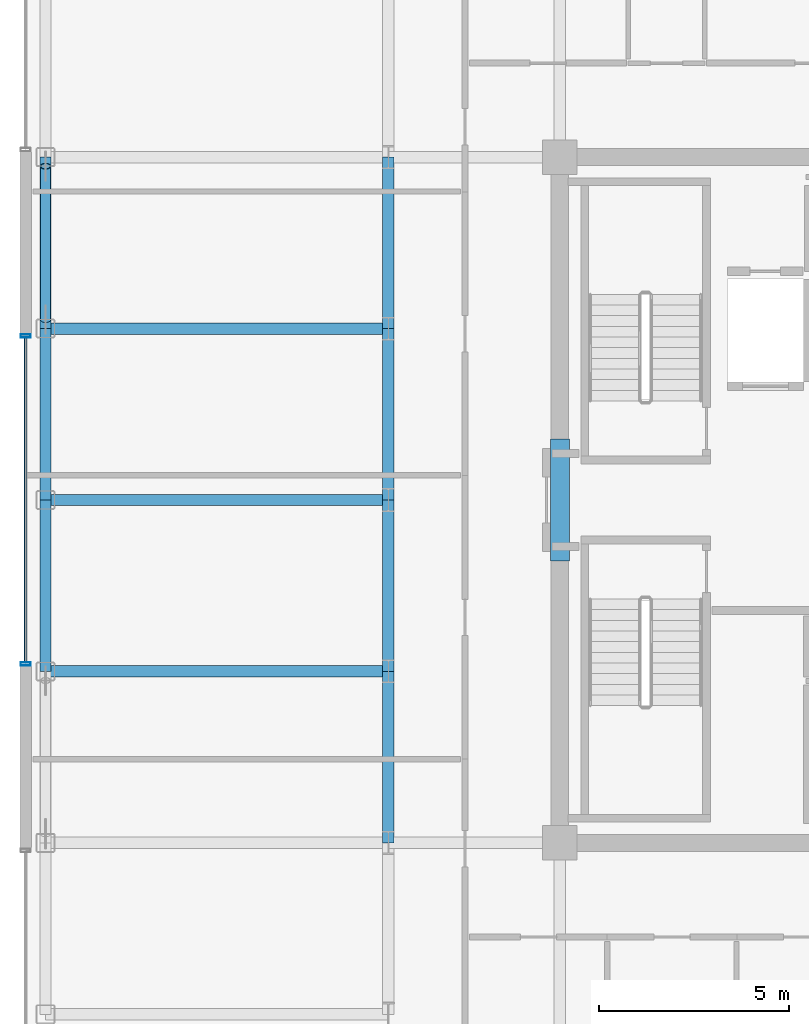
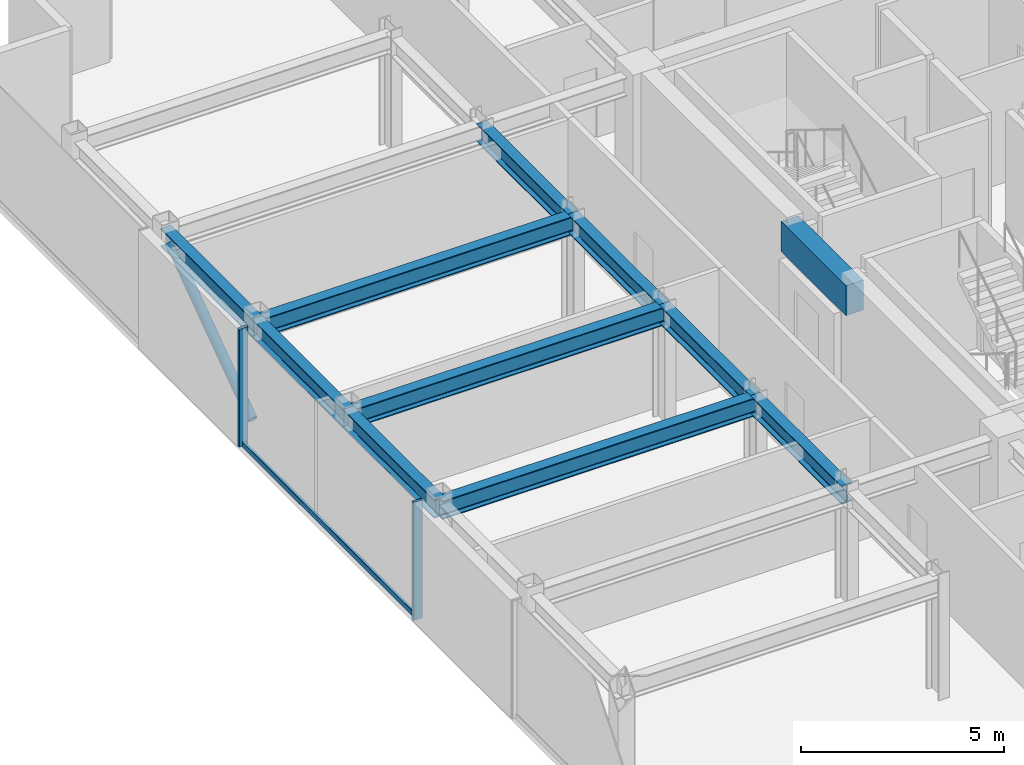
# One storey, part 4 of 16: 11 beams, 4 members, 1 element without a shape of its own.
"""IFC4 building model written with IfcOpenShell, lengths in metres."""

from ifc_helpers import new_model, si_unit, direction, frame, origin, origin_2d, place, context, subcontext, project, spatial, rectangle, hollow_rectangle, hollow_circle, i_section, extrude, source, transform, mapped, material, layer, layer_set, material_profile, profile_set, type_object, element, aggregate, save


model = new_model("IFC4")

# Units and contexts
model_context = context("Model", 3, precision=1e-05, world=origin(), true_north=direction((0.0, 1.0)))
body_context = subcontext(model_context, "Body", "Model", "MODEL_VIEW")
ifc_project = project(units=[si_unit("LENGTHUNIT", "METRE"), si_unit("AREAUNIT", "SQUARE_METRE"), si_unit("VOLUMEUNIT", "CUBIC_METRE"), si_unit("PLANEANGLEUNIT", "RADIAN"), si_unit("MASSUNIT", "GRAM", prefix="KILO")], contexts=[model_context])

# Site, building, storey
site_placement = place(None, origin())
site = spatial("IfcSite", under=ifc_project, at=site_placement, CompositionType="ELEMENT")
building_placement = place(site_placement, origin())
building = spatial("IfcBuilding", under=site, at=building_placement, Name="Nefas-Gora Pilgrimage Tower", CompositionType="ELEMENT")
storey_placement = place(building_placement, frame((0.0, 0.0, 310.199951171875)))
storey = spatial("IfcBuildingStorey", under=building, at=storey_placement, Name="L78", CompositionType="ELEMENT", Elevation=310.199951171875)

# Beam
ifc_material_1 = material(Name="Concrete C50/60", Category="concrete")
ifc_material_profile_1 = material_profile(ifc_material_1, rectangle(XDim=0.5, YDim=0.89990234375, at=origin_2d()), Name="RC 500x900")
ifc_profile_set_1 = profile_set([ifc_material_profile_1], Name="Concrete C50/60")
beam_type_1 = type_object("IfcBeamType", Name="BM-LIN-RC900", PredefinedType="LINTEL", material=ifc_profile_set_1)
shared_shape_1 = source(origin(), body_context, "Body", "SweptSolid", [
    extrude(rectangle(XDim=0.5, YDim=0.89990234375, at=origin_2d()), origin(), (0.0, 0.0, 1.0), 3.2001953125),
])
beam_placement = place(storey_placement, frame((-11.25, -1.60009765625, 3.10009765625), z_axis=(0.0, 1.0, 0.0), x_axis=(-1.0, 0.0, 0.0)))
element("IfcBeam", 1, at=beam_placement, inside=storey, type_object=beam_type_1, Name="L78 Core Coupling Lintel Beam W", PredefinedType="LINTEL", context=body_context, shape_type="MappedRepresentation", body=[
    mapped(shared_shape_1, transform((0.0, 0.0, 0.0), x_axis=(1.0, 0.0, 0.0), y_axis=(0.0, 1.0, 0.0), z_axis=(0.0, 0.0, 1.0), scale=1.0)),
])

# Member
ifc_material_2 = material(Name="Steel S355", Category="steel")
ifc_material_profile_2 = material_profile(ifc_material_2, hollow_circle(Radius=0.136474609375, WallThickness=0.01611328125, at=origin_2d()), Name="CHS 273x16")
ifc_profile_set_2 = profile_set([ifc_material_profile_2], Name="Steel S355")
member_type_1 = type_object("IfcMemberType", Name="MEM-TUBE-273", PredefinedType="BRACE", material=ifc_profile_set_2)
shared_shape_2 = source(origin(), body_context, "Body", "SweptSolid", [
    extrude(hollow_circle(Radius=0.136474609375, WallThickness=0.01611328125, at=origin_2d()), origin(), (0.0, 0.0, 1.0), 4.947998046875),
])
member_1_placement = place(storey_placement, frame((-24.75, 4.738037109375, 0.3203125), z_axis=(0.0, 0.813239767156, 0.581928759485), x_axis=(-1.0, 0.0, 0.0)))
element("IfcMember", 2, at=member_1_placement, inside=storey, type_object=member_type_1, Name="L78 Perimeter Tube Diagonal Brace W2", PredefinedType="BRACE", context=body_context, shape_type="MappedRepresentation", body=[
    mapped(shared_shape_2, transform((0.0, 0.0, 0.0), x_axis=(1.0, 0.0, 0.0), y_axis=(0.0, 1.0, 0.0), z_axis=(0.0, 0.0, 1.0), scale=1.0)),
])

# Beams
ifc_material_profile_3 = material_profile(ifc_material_2, i_section(OverallWidth=0.300048828125, OverallDepth=0.550048828125, WebThickness=0.014892578125, FlangeThickness=0.029052734375, FilletRadius=0.027099609375, at=origin_2d()), Name="HEB 550")
ifc_profile_set_3 = profile_set([ifc_material_profile_3], Name="Steel S355")
beam_type_2 = type_object("IfcBeamType", Name="BM-SPN-HEB400", PredefinedType="SPANDREL", material=ifc_profile_set_3)
shared_shape_3 = source(origin(), body_context, "Body", "SweptSolid", [
    extrude(i_section(OverallWidth=0.300048828125, OverallDepth=0.550048828125, WebThickness=0.014892578125, FlangeThickness=0.029052734375, FilletRadius=0.027099609375, at=origin_2d()), origin(), (0.0, 0.0, 1.0), 4.5),
])
for number, where, z_axis, x_axis, name in (
    (3, (-24.75, -4.5, 3.275146484375), (0.0, 1.0, 0.0), (-1.0, 0.0, 0.0), "L78 SP-04 beam"),
    (4, (-24.75, 0.0, 3.275146484375), (0.0, 1.0, 0.0), (-1.0, 0.0, 0.0), "L78 SP-04 beam"),
    (5, (-24.75, 4.5, 3.275146484375), (0.0, 1.0, 0.0), (-1.0, 0.0, 0.0), "L78 SP-04 beam"),
):
    element("IfcBeam", number, at=place(storey_placement, frame(where, z_axis=z_axis, x_axis=x_axis)), inside=storey, type_object=beam_type_2, Name=name, PredefinedType="SPANDREL", context=body_context, shape_type="MappedRepresentation", body=[
        mapped(shared_shape_3, transform((0.0, 0.0, 0.0), x_axis=(1.0, 0.0, 0.0), y_axis=(0.0, 1.0, 0.0), z_axis=(0.0, 0.0, 1.0), scale=1.0)),
    ])
ifc_material_profile_4 = material_profile(ifc_material_2, i_section(OverallWidth=0.300048828125, OverallDepth=0.550048828125, WebThickness=0.014892578125, FlangeThickness=0.029052734375, FilletRadius=0.027099609375, at=origin_2d()), Name="HEB 550")
ifc_profile_set_4 = profile_set([ifc_material_profile_4], Name="Steel S355")
beam_type_3 = type_object("IfcBeamType", Name="BM-GIR-HEB550", PredefinedType="BEAM", material=ifc_profile_set_4)
shared_shape_4 = source(origin(), body_context, "Body", "SweptSolid", [
    extrude(i_section(OverallWidth=0.300048828125, OverallDepth=0.550048828125, WebThickness=0.014892578125, FlangeThickness=0.029052734375, FilletRadius=0.027099609375, at=origin_2d()), origin(), (0.0, 0.0, 1.0), 9.0),
])
for number, where, z_axis, x_axis, name in (
    (6, (-24.75, -4.5, 3.275146484375), (1.0, 0.0, 0.0), (0.0, 1.0, 0.0), "L78 G-05 beam"),
    (7, (-24.75, 0.0, 3.275146484375), (1.0, 0.0, 0.0), (0.0, 1.0, 0.0), "L78 G-05 beam"),
    (8, (-24.75, 4.5, 3.275146484375), (1.0, 0.0, 0.0), (0.0, 1.0, 0.0), "L78 G-05 beam"),
):
    element("IfcBeam", number, at=place(storey_placement, frame(where, z_axis=z_axis, x_axis=x_axis)), inside=storey, type_object=beam_type_3, Name=name, PredefinedType="BEAM", context=body_context, shape_type="MappedRepresentation", body=[
        mapped(shared_shape_4, transform((0.0, 0.0, 0.0), x_axis=(1.0, 0.0, 0.0), y_axis=(0.0, 1.0, 0.0), z_axis=(0.0, 0.0, 1.0), scale=1.0)),
    ])
shared_shape_5 = source(origin(), body_context, "Body", "SweptSolid", [
    extrude(i_section(OverallWidth=0.300048828125, OverallDepth=0.550048828125, WebThickness=0.014892578125, FlangeThickness=0.029052734375, FilletRadius=0.027099609375, at=origin_2d()), origin(), (0.0, 0.0, 1.0), 4.5),
])
for number, where, z_axis, x_axis, name in (
    (9, (-15.75, -9.0, 3.275146484375), (0.0, 1.0, 0.0), (-1.0, 0.0, 0.0), "L78 G-05 beam"),
    (10, (-15.75, -4.5, 3.275146484375), (0.0, 1.0, 0.0), (-1.0, 0.0, 0.0), "L78 G-05 beam"),
    (11, (-15.75, 0.0, 3.275146484375), (0.0, 1.0, 0.0), (-1.0, 0.0, 0.0), "L78 G-05 beam"),
    (12, (-15.75, 4.5, 3.275146484375), (0.0, 1.0, 0.0), (-1.0, 0.0, 0.0), "L78 G-05 beam"),
):
    element("IfcBeam", number, at=place(storey_placement, frame(where, z_axis=z_axis, x_axis=x_axis)), inside=storey, type_object=beam_type_3, Name=name, PredefinedType="BEAM", context=body_context, shape_type="MappedRepresentation", body=[
        mapped(shared_shape_5, transform((0.0, 0.0, 0.0), x_axis=(1.0, 0.0, 0.0), y_axis=(0.0, 1.0, 0.0), z_axis=(0.0, 0.0, 1.0), scale=1.0)),
    ])

# Curtain wall, members
ifc_material_3 = material(Name="Dark ceramic-fritted solar-control aluminium-glass curtain wall", Category="aluminium")
ifc_layer = layer(ifc_material_3, 0.219970703125)
ifc_layer_set = layer_set([ifc_layer], Name="Dark ceramic-fritted solar-control aluminium-glass curtain wall")
curtain_wall_type = type_object("IfcCurtainWallType", Name="CW-SYS-4", PredefinedType="NOTDEFINED", material=ifc_layer_set)
curtain_wall_placement = place(storey_placement, origin())
curtain_wall = element("IfcCurtainWall", 13, at=curtain_wall_placement, inside=storey, type_object=curtain_wall_type, Name="L78 Unitised Curtain Wall CW4", PredefinedType="NOTDEFINED")
ifc_material_4 = material(Name="Anodised architectural aluminium", Category="aluminium")
ifc_material_profile_5 = material_profile(ifc_material_4, hollow_rectangle(XDim=0.080078125, YDim=0.159912109375, WallThickness=0.00439453125, InnerFilletRadius=0.00439453125, OuterFilletRadius=0.009033203125, at=origin_2d()), Name="ALU TRANSOM 80x160")
ifc_profile_set_5 = profile_set([ifc_material_profile_5], Name="Anodised architectural aluminium")
member_type_2 = type_object("IfcMemberType", Name="CWM-TRN-4", PredefinedType="USERDEFINED", material=ifc_profile_set_5)
shared_shape_6 = source(origin(), body_context, "Body", "SweptSolid", [
    extrude(hollow_rectangle(XDim=0.080078125, YDim=0.159912109375, WallThickness=0.00439453125, InnerFilletRadius=0.00439453125, OuterFilletRadius=0.009033203125, at=origin_2d()), origin(), (0.0, 0.0, 1.0), 8.52001953125),
])
member_2_placement = place(storey_placement, frame((-25.27001953125, 4.260009765625, 0.050048828125), z_axis=(0.0, -1.0, 0.0), x_axis=(1.0, 0.0, 0.0)))
member_2 = element("IfcMember", 14, at=member_2_placement, type_object=member_type_2, Name="CW4 Spandrel Transom", ObjectType="TRANSOM", PredefinedType="USERDEFINED", context=body_context, shape_type="MappedRepresentation", body=[
    mapped(shared_shape_6, transform((0.0, 0.0, 0.0), x_axis=(1.0, 0.0, 0.0), y_axis=(0.0, 1.0, 0.0), z_axis=(0.0, 0.0, 1.0), scale=1.0)),
])
ifc_material_profile_6 = material_profile(ifc_material_4, hollow_rectangle(XDim=0.090087890625, YDim=0.260009765625, WallThickness=0.006103515625, InnerFilletRadius=0.006103515625, OuterFilletRadius=0.011962890625, at=origin_2d()), Name="ALU MULLION 90x260")
ifc_profile_set_6 = profile_set([ifc_material_profile_6], Name="Anodised architectural aluminium")
member_type_3 = type_object("IfcMemberType", Name="CWM-MUL-4", PredefinedType="MULLION", material=ifc_profile_set_6)
shared_shape_7 = source(origin(), body_context, "Body", "SweptSolid", [
    extrude(hollow_rectangle(XDim=0.090087890625, YDim=0.260009765625, WallThickness=0.006103515625, InnerFilletRadius=0.006103515625, OuterFilletRadius=0.011962890625, at=origin_2d()), origin(), (0.0, 0.0, 1.0), 3.550048828125),
])
member_3_placement = place(storey_placement, frame((-25.27001953125, 4.304931640625, 0.0), z_axis=(0.0, 0.0, 1.0), x_axis=(0.0, -1.0, 0.0)))
member_3 = element("IfcMember", 15, at=member_3_placement, type_object=member_type_3, Name="CW4 Mullion 1", PredefinedType="MULLION", context=body_context, shape_type="MappedRepresentation", body=[
    mapped(shared_shape_7, transform((0.0, 0.0, 0.0), x_axis=(1.0, 0.0, 0.0), y_axis=(0.0, 1.0, 0.0), z_axis=(0.0, 0.0, 1.0), scale=1.0)),
])
member_4_placement = place(storey_placement, frame((-25.27001953125, -4.304931640625, 0.0), z_axis=(0.0, 0.0, 1.0), x_axis=(0.0, -1.0, 0.0)))
member_4 = element("IfcMember", 16, at=member_4_placement, type_object=member_type_3, Name="CW4 Mullion 2", PredefinedType="MULLION", context=body_context, shape_type="MappedRepresentation", body=[
    mapped(shared_shape_7, transform((0.0, 0.0, 0.0), x_axis=(1.0, 0.0, 0.0), y_axis=(0.0, 1.0, 0.0), z_axis=(0.0, 0.0, 1.0), scale=1.0)),
])
aggregate(curtain_wall, [member_3, member_4, member_2])

save(model, "model.ifc")
